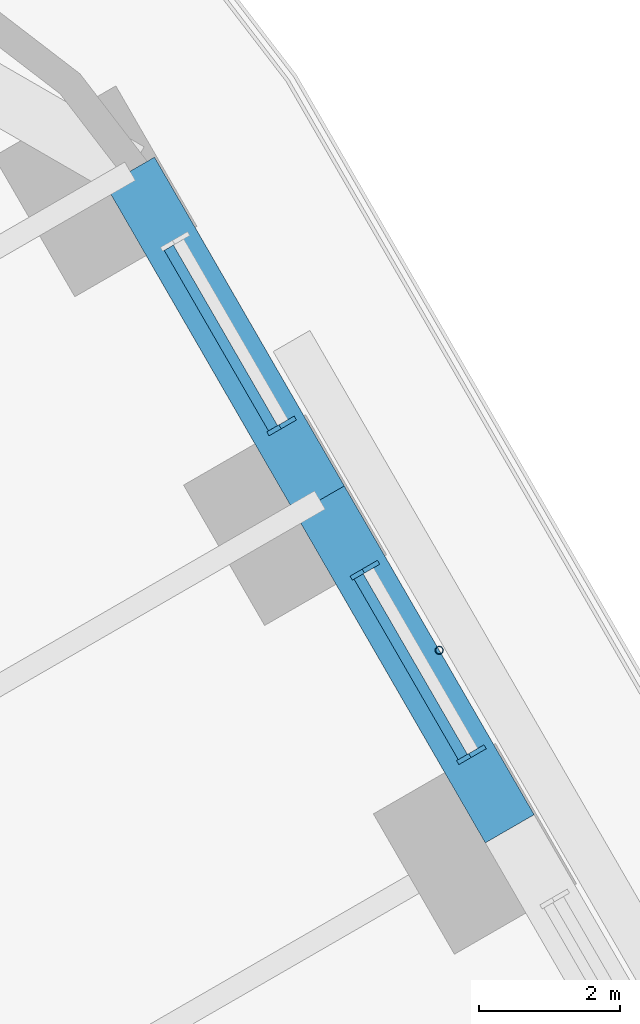
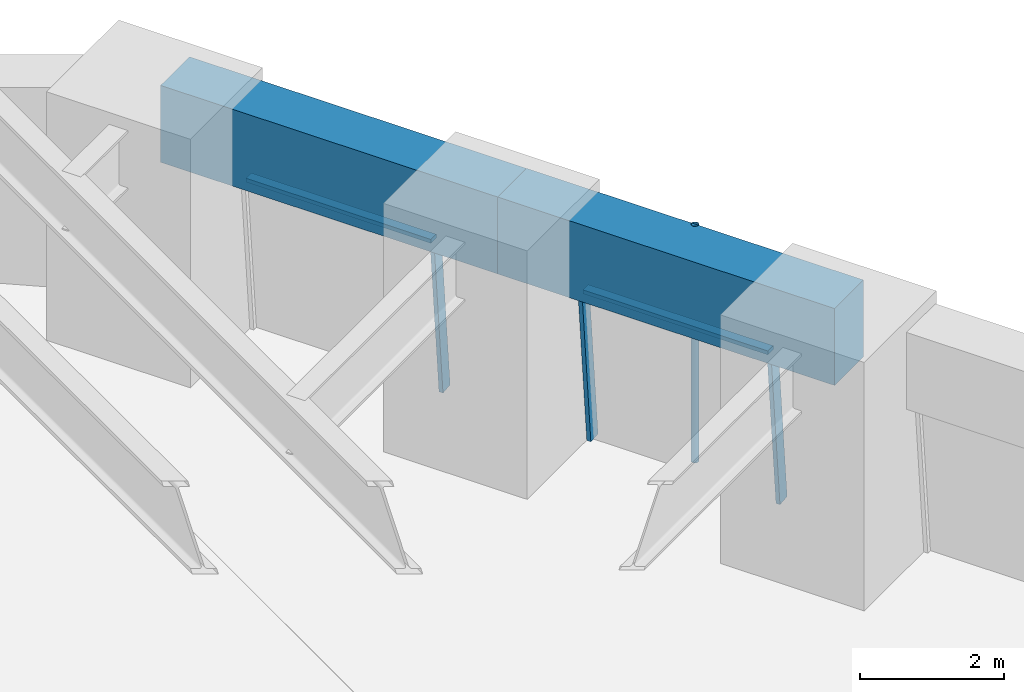
# One storey, part 11 of 23: 6 members, 2 beams, 2 elements without a shape of their own.
"""IFC4 building model written with IfcOpenShell, lengths in metres."""

from ifc_helpers import new_model, si_unit, direction, frame, origin, origin_2d, place, context, subcontext, project, spatial, rectangle, hollow_circle, extrude, material, material_profile, profile_set, type_object, element, aggregate, save


model = new_model("IFC4")

# Units and contexts
model_context = context("Model", 3, precision=1e-05, world=origin(), true_north=direction((0.0, 1.0)))
body_context = subcontext(model_context, "Body", "Model", "MODEL_VIEW")
ifc_project = project(units=[si_unit("LENGTHUNIT", "METRE"), si_unit("AREAUNIT", "SQUARE_METRE"), si_unit("VOLUMEUNIT", "CUBIC_METRE"), si_unit("PLANEANGLEUNIT", "RADIAN"), si_unit("MASSUNIT", "GRAM", prefix="KILO")], contexts=[model_context])

# Site, building, storey
site_placement = place(None, origin())
site = spatial("IfcSite", under=ifc_project, at=site_placement, CompositionType="ELEMENT")
building_placement = place(site_placement, origin())
building = spatial("IfcBuilding", under=site, at=building_placement, Name="Tarfa Lantern Tower", CompositionType="ELEMENT")
storey_placement = place(building_placement, frame((0.0, 0.0, 31.89990234375)))
storey = spatial("IfcBuildingStorey", under=building, at=storey_placement, Name="L06", CompositionType="ELEMENT", Elevation=31.89990234375)

# Curtain wall, members
ifc_material_1 = material(Name="Aluminium framed curtain wall", Category="aluminium")
curtain_wall_type = type_object("IfcCurtainWallType", Name="CW1 CANTED GLAZING LOW ZONE 2700", PredefinedType="USERDEFINED", material=ifc_material_1)
curtain_wall_1_placement = place(storey_placement, origin())
curtain_wall_1 = element("IfcCurtainWall", 1, at=curtain_wall_1_placement, inside=storey, type_object=curtain_wall_type, Name="CW1 NE L06", ObjectType="CURTAIN WALL", PredefinedType="USERDEFINED")
ifc_material_2 = material(Name="Aluminium mullion", Category="aluminium")
ifc_material_profile_1 = material_profile(ifc_material_2, rectangle(XDim=0.06494140625, YDim=0.199951171875, at=origin_2d()), Name="AL MULLION 65x200")
ifc_profile_set_1 = profile_set([ifc_material_profile_1], Name="Aluminium mullion")
member_type_1 = type_object("IfcMemberType", Name="CWM1 MULLION 65x200", PredefinedType="MULLION", material=ifc_profile_set_1)
member_1_placement = place(storey_placement, frame((26.07275390625, 22.640625, 0.0), z_axis=(-0.079857261722, -0.046095736191, 0.995739926314), x_axis=(0.499919672301, -0.866071776036, 0.0)))
member_1 = element("IfcMember", 2, at=member_1_placement, type_object=member_type_1, Name="CW1 mullion 1", PredefinedType="MULLION", context=body_context, shape_type="SweptSolid", body=[
    extrude(rectangle(XDim=0.06494140625, YDim=0.199951171875, at=origin_2d()), origin(), (0.0, 0.0, 1.0), 2.711669921875),
])
member_2_placement = place(storey_placement, frame((24.560791015625, 25.25927734375, 0.0), z_axis=(-0.079767804165, -0.046096067418, 0.995747081335), x_axis=(0.500342721131, -0.865827443207, 0.0)))
member_2 = element("IfcMember", 3, at=member_2_placement, type_object=member_type_1, Name="CW1 mullion 2", PredefinedType="MULLION", context=body_context, shape_type="SweptSolid", body=[
    extrude(rectangle(XDim=0.06494140625, YDim=0.199951171875, at=origin_2d()), origin(), (0.0, 0.0, 1.0), 2.711669921875),
])

# Curtain wall, member
curtain_wall_2_placement = place(storey_placement, origin())
curtain_wall_2 = element("IfcCurtainWall", 4, at=curtain_wall_2_placement, inside=storey, type_object=curtain_wall_type, Name="CW1 NE L06", ObjectType="CURTAIN WALL", PredefinedType="USERDEFINED")
member_3_placement = place(storey_placement, frame((23.37841796875, 27.307373046875, 0.0), z_axis=(-0.079857261722, -0.046095736191, 0.995739926314), x_axis=(0.499919672301, -0.866071776036, 0.0)))
member_3 = element("IfcMember", 5, at=member_3_placement, type_object=member_type_1, Name="CW1 mullion 1", PredefinedType="MULLION", context=body_context, shape_type="SweptSolid", body=[
    extrude(rectangle(XDim=0.06494140625, YDim=0.199951171875, at=origin_2d()), origin(), (0.0, 0.0, 1.0), 2.711669921875),
])

# Member
ifc_material_3 = material(Name="Aluminium transom", Category="aluminium")
ifc_material_profile_2 = material_profile(ifc_material_3, rectangle(XDim=0.14990234375, YDim=0.06494140625, at=origin_2d()), Name="AL TRANSOM 150x65")
ifc_profile_set_2 = profile_set([ifc_material_profile_2], Name="Aluminium transom")
member_type_2 = type_object("IfcMemberType", Name="CWT1 TRANSOM 150x65", PredefinedType="USERDEFINED", material=ifc_profile_set_2)
member_4_placement = place(storey_placement, frame((25.842529296875, 22.54541015625, 2.66748046875), z_axis=(-0.499981985492, 0.866035804215, 0.0), x_axis=(-0.866035804215, -0.499981985492, 0.0)))
member_4 = element("IfcMember", 6, at=member_4_placement, type_object=member_type_2, Name="CW1 transom 1.2", ObjectType="TRANSOM", PredefinedType="USERDEFINED", context=body_context, shape_type="SweptSolid", body=[
    extrude(rectangle(XDim=0.14990234375, YDim=0.06494140625, at=origin_2d()), origin(), (0.0, 0.0, 1.0), 2.95849609375),
])

aggregate(curtain_wall_1, [member_1, member_2, member_4])

member_5_placement = place(storey_placement, frame((23.148193359375, 27.212158203125, 2.66748046875), z_axis=(-0.500017718492, 0.866015173767, 0.0), x_axis=(-0.866015173767, -0.500017718492, 0.0)))
member_5 = element("IfcMember", 7, at=member_5_placement, type_object=member_type_2, Name="CW1 transom 1.2", ObjectType="TRANSOM", PredefinedType="USERDEFINED", context=body_context, shape_type="SweptSolid", body=[
    extrude(rectangle(XDim=0.14990234375, YDim=0.06494140625, at=origin_2d()), origin(), (0.0, 0.0, 1.0), 2.95849609375),
])

aggregate(curtain_wall_2, [member_3, member_5])

# Beams
ifc_material_4 = material(Name="Concrete C80/95", Category="concrete")
ifc_material_profile_3 = material_profile(ifc_material_4, rectangle(XDim=0.800048828125, YDim=1.300048828125, at=origin_2d()), Name="RC 800x1300")
ifc_profile_set_3 = profile_set([ifc_material_profile_3], Name="Concrete C80/95")
beam_type = type_object("IfcBeamType", Name="EB1 RC 800x1300", PredefinedType="SPANDREL", material=ifc_profile_set_3)
for number, where, z_axis, x_axis, name in (
    (8, (26.508056640625, 21.526611328125, 3.35009765625), (-0.499998287579, 0.866026392449, 0.0), (-0.866026392449, -0.499998287579, 0.0), "Edge beam NE4"),
    (9, (23.813720703125, 26.193359375, 3.35009765625), (-0.499998287579, 0.866026392449, 0.0), (-0.866026392449, -0.499998287579, 0.0), "Edge beam NE5"),
):
    element("IfcBeam", number, at=place(storey_placement, frame(where, z_axis=z_axis, x_axis=x_axis)), inside=storey, type_object=beam_type, Name=name, PredefinedType="SPANDREL", context=body_context, shape_type="SweptSolid", body=[
        extrude(rectangle(XDim=0.800048828125, YDim=1.300048828125, at=origin_2d()), origin(), (0.0, 0.0, 1.0), 5.388671875),
    ])

# Member
ifc_material_5 = material(Name="Steel S355", Category="steel")
ifc_material_profile_4 = material_profile(ifc_material_5, hollow_circle(Radius=0.05712890625, WallThickness=0.00634765625, at=origin_2d()), Name="CHS114.3x6.3")
ifc_profile_set_4 = profile_set([ifc_material_profile_4], Name="Steel S355")
member_type_3 = type_object("IfcMemberType", Name="TR1 GREEN WALL TRELLIS CHS114.3x6.3", PredefinedType="USERDEFINED", material=ifc_profile_set_4)
member_6_placement = place(storey_placement, frame((25.50732421875, 24.06005859375, 0.0), z_axis=(0.0, 0.0, 1.0), x_axis=(1.0, 0.0, 0.0)))
element("IfcMember", 10, at=member_6_placement, inside=storey, type_object=member_type_3, Name="Trellis post NE 2", ObjectType="TRELLIS", PredefinedType="USERDEFINED", context=body_context, shape_type="SweptSolid", body=[
    extrude(hollow_circle(Radius=0.05712890625, WallThickness=0.00634765625, at=origin_2d()), origin(), (0.0, 0.0, 1.0), 4.0),
])

save(model, "model.ifc")
